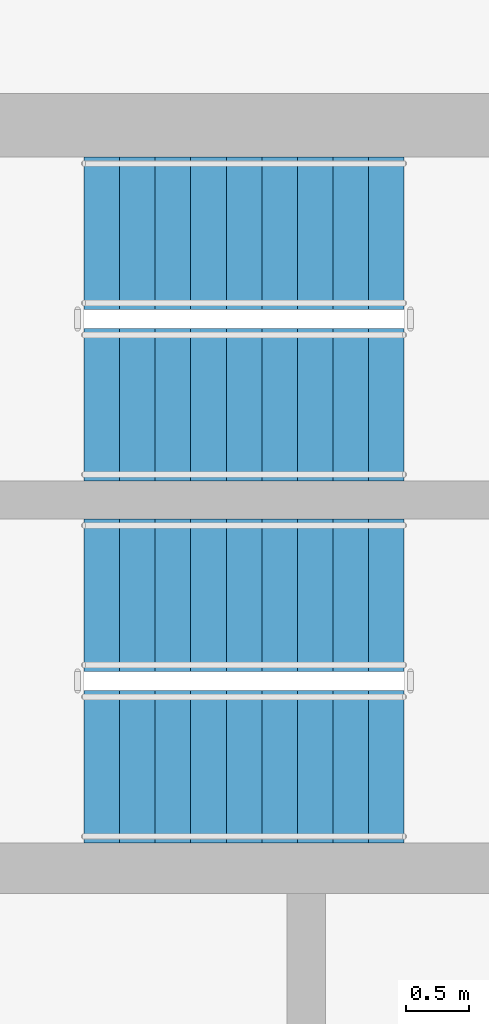
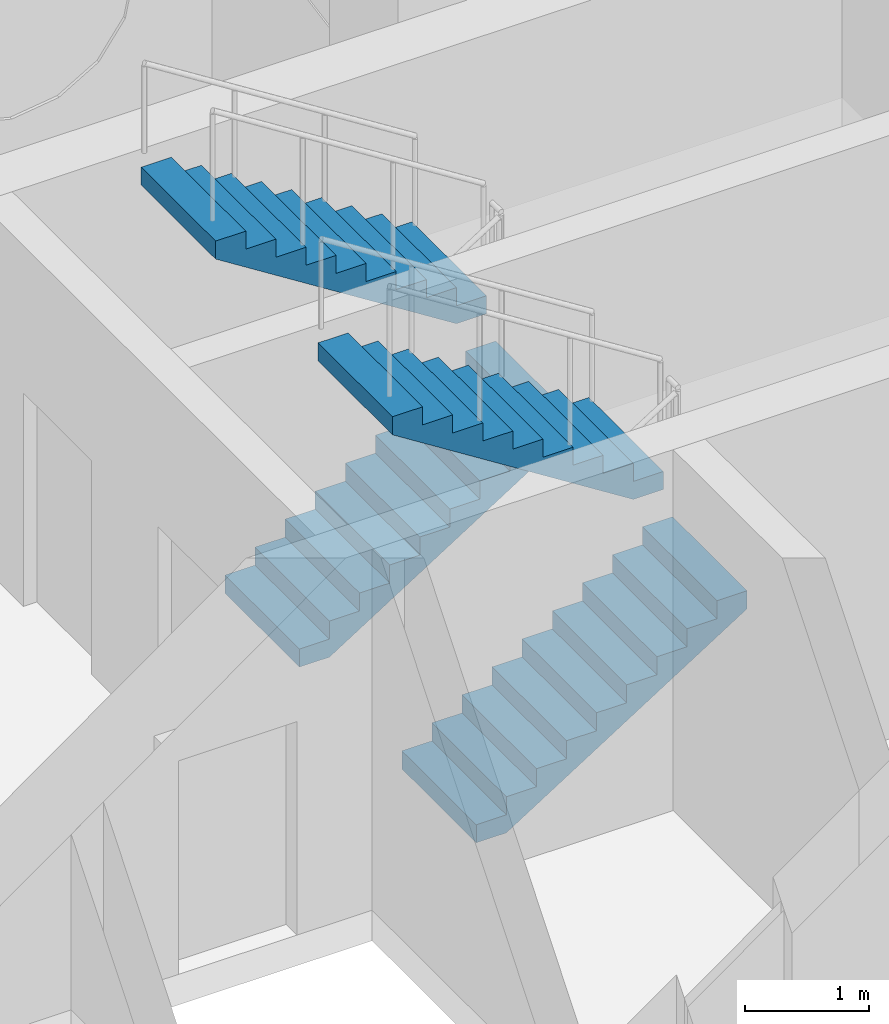
# One storey, part 11 of 15: 4 stair flights, 2 elements without a shape of their own.
"""IFC4 building model written with IfcOpenShell, lengths in metres."""

from ifc_helpers import new_model, si_unit, direction, frame, origin, place, context, subcontext, project, spatial, polyline, outline, extrude, material, type_object, element, aggregate, save


model = new_model("IFC4")

# Units and contexts
model_context = context("Model", 3, precision=1e-05, world=origin(), true_north=direction((0.0, 1.0)))
body_context = subcontext(model_context, "Body", "Model", "MODEL_VIEW")
ifc_project = project(units=[si_unit("LENGTHUNIT", "METRE"), si_unit("AREAUNIT", "SQUARE_METRE"), si_unit("VOLUMEUNIT", "CUBIC_METRE"), si_unit("PLANEANGLEUNIT", "RADIAN"), si_unit("MASSUNIT", "GRAM", prefix="KILO")], contexts=[model_context])

# Site, building, storey
site_placement = place(None, origin())
site = spatial("IfcSite", under=ifc_project, at=site_placement, CompositionType="ELEMENT")
building_placement = place(site_placement, origin())
building = spatial("IfcBuilding", under=site, at=building_placement, Name="Ostrand Prow Hotel Tower", CompositionType="ELEMENT")
storey_placement = place(building_placement, frame((0.0, 0.0, 292.75)))
storey = spatial("IfcBuildingStorey", under=building, at=storey_placement, Name="L74", CompositionType="ELEMENT", Elevation=292.75)

# Stair, stair flights
ifc_material_1 = material(Name="Concrete C40/50", Category="concrete")
stair_type = type_object("IfcStairType", Name="Exit stair 1200 upper zone", PredefinedType="HALF_TURN_STAIR", material=ifc_material_1)
stair_1_placement = place(storey_placement, origin())
stair_1 = element("IfcStair", 1, at=stair_1_placement, inside=storey, type_object=stair_type, Name="L74 ST1C", PredefinedType="HALF_TURN_STAIR")
ifc_material_2 = material(Name="Concrete C40/50", Category="concrete")
stair_flight_type = type_object("IfcStairFlightType", Name="Stair flight 1200 concrete", PredefinedType="STRAIGHT", material=ifc_material_2)
stair_flight_1_placement = place(storey_placement, frame((57.199951171875, 10.949951171875, 0.0), z_axis=(0.0, 0.0, 1.0), x_axis=(1.0, 0.0, 0.0)))
stair_flight_1 = element("IfcStairFlight", 2, at=stair_flight_1_placement, type_object=stair_flight_type, Name="ST1C flight 1", NumberOfRisers=10, NumberOfTreads=9, PredefinedType="STRAIGHT", RiserHeight=0.1775, TreadLength=0.28, context=body_context, shape_type="SweptSolid", body=[
    extrude(outline(polyline([(0.0, 0.0), (0.0, 0.177490234375), (0.280029296875, 0.177490234375), (0.280029296875, 0.35498046875), (0.56005859375, 0.35498046875), (0.56005859375, 0.532470703125), (0.840087890625, 0.532470703125), (0.840087890625, 0.7099609375), (1.1201171875, 0.7099609375), (1.1201171875, 0.887451171875), (1.39990234375, 0.887451171875), (1.39990234375, 1.06494140625), (1.679931640625, 1.06494140625), (1.679931640625, 1.242431640625), (1.9599609375, 1.242431640625), (1.9599609375, 1.419921875), (2.239990234375, 1.419921875), (2.239990234375, 1.597412109375), (2.52001953125, 1.597412109375), (2.52001953125, 1.77490234375), (2.52001953125, 1.419921875), (0.280029296875, 0.0), (0.0, 0.0)])), frame((0.0, 0.60009765625, 0.0), z_axis=(0.0, -1.0, 0.0), x_axis=(1.0, 0.0, 0.0)), (0.0, 0.0, 1.0), 1.199951171875),
])
stair_flight_2_placement = place(storey_placement, frame((59.719970703125, 12.300048828125, 1.77490234375), z_axis=(0.0, 0.0, 1.0), x_axis=(-1.0, 0.0, 0.0)))
stair_flight_2 = element("IfcStairFlight", 3, at=stair_flight_2_placement, type_object=stair_flight_type, Name="ST1C flight 2", NumberOfRisers=10, NumberOfTreads=9, PredefinedType="STRAIGHT", RiserHeight=0.1775, TreadLength=0.28, context=body_context, shape_type="SweptSolid", body=[
    extrude(outline(polyline([(0.0, 0.0), (0.0, 0.177490234375), (0.280029296875, 0.177490234375), (0.280029296875, 0.35498046875), (0.56005859375, 0.35498046875), (0.56005859375, 0.532470703125), (0.840087890625, 0.532470703125), (0.840087890625, 0.7099609375), (1.1201171875, 0.7099609375), (1.1201171875, 0.887451171875), (1.39990234375, 0.887451171875), (1.39990234375, 1.06494140625), (1.679931640625, 1.06494140625), (1.679931640625, 1.242431640625), (1.9599609375, 1.242431640625), (1.9599609375, 1.419921875), (2.239990234375, 1.419921875), (2.239990234375, 1.597412109375), (2.52001953125, 1.597412109375), (2.52001953125, 1.77490234375), (2.52001953125, 1.419921875), (0.280029296875, 0.0), (0.0, 0.0)])), frame((0.0, 0.60009765625, 0.0), z_axis=(0.0, -1.0, 0.0), x_axis=(1.0, 0.0, 0.0)), (0.0, 0.0, 1.0), 1.199951171875),
])
aggregate(stair_1, [stair_flight_1, stair_flight_2])

stair_2_placement = place(storey_placement, origin())
stair_2 = element("IfcStair", 4, at=stair_2_placement, inside=storey, type_object=stair_type, Name="L74 ST3C", PredefinedType="HALF_TURN_STAIR")
stair_flight_3_placement = place(storey_placement, frame((57.199951171875, 13.800048828125, 0.0), z_axis=(0.0, 0.0, 1.0), x_axis=(1.0, 0.0, 0.0)))
stair_flight_3 = element("IfcStairFlight", 5, at=stair_flight_3_placement, type_object=stair_flight_type, Name="ST3C flight 1", NumberOfRisers=10, NumberOfTreads=9, PredefinedType="STRAIGHT", RiserHeight=0.1775, TreadLength=0.28, context=body_context, shape_type="SweptSolid", body=[
    extrude(outline(polyline([(0.0, 0.0), (0.0, 0.177490234375), (0.280029296875, 0.177490234375), (0.280029296875, 0.35498046875), (0.56005859375, 0.35498046875), (0.56005859375, 0.532470703125), (0.840087890625, 0.532470703125), (0.840087890625, 0.7099609375), (1.1201171875, 0.7099609375), (1.1201171875, 0.887451171875), (1.39990234375, 0.887451171875), (1.39990234375, 1.06494140625), (1.679931640625, 1.06494140625), (1.679931640625, 1.242431640625), (1.9599609375, 1.242431640625), (1.9599609375, 1.419921875), (2.239990234375, 1.419921875), (2.239990234375, 1.597412109375), (2.52001953125, 1.597412109375), (2.52001953125, 1.77490234375), (2.52001953125, 1.419921875), (0.280029296875, 0.0), (0.0, 0.0)])), frame((0.0, 0.60009765625, 0.0), z_axis=(0.0, -1.0, 0.0), x_axis=(1.0, 0.0, 0.0)), (0.0, 0.0, 1.0), 1.199951171875),
])
stair_flight_4_placement = place(storey_placement, frame((59.719970703125, 15.14990234375, 1.77490234375), z_axis=(0.0, 0.0, 1.0), x_axis=(-1.0, 0.0, 0.0)))
stair_flight_4 = element("IfcStairFlight", 6, at=stair_flight_4_placement, type_object=stair_flight_type, Name="ST3C flight 2", NumberOfRisers=10, NumberOfTreads=9, PredefinedType="STRAIGHT", RiserHeight=0.1775, TreadLength=0.28, context=body_context, shape_type="SweptSolid", body=[
    extrude(outline(polyline([(0.0, 0.0), (0.0, 0.177490234375), (0.280029296875, 0.177490234375), (0.280029296875, 0.35498046875), (0.56005859375, 0.35498046875), (0.56005859375, 0.532470703125), (0.840087890625, 0.532470703125), (0.840087890625, 0.7099609375), (1.1201171875, 0.7099609375), (1.1201171875, 0.887451171875), (1.39990234375, 0.887451171875), (1.39990234375, 1.06494140625), (1.679931640625, 1.06494140625), (1.679931640625, 1.242431640625), (1.9599609375, 1.242431640625), (1.9599609375, 1.419921875), (2.239990234375, 1.419921875), (2.239990234375, 1.597412109375), (2.52001953125, 1.597412109375), (2.52001953125, 1.77490234375), (2.52001953125, 1.419921875), (0.280029296875, 0.0), (0.0, 0.0)])), frame((0.0, 0.60009765625, 0.0), z_axis=(0.0, -1.0, 0.0), x_axis=(1.0, 0.0, 0.0)), (0.0, 0.0, 1.0), 1.199951171875),
])
aggregate(stair_2, [stair_flight_3, stair_flight_4])

save(model, "model.ifc")
